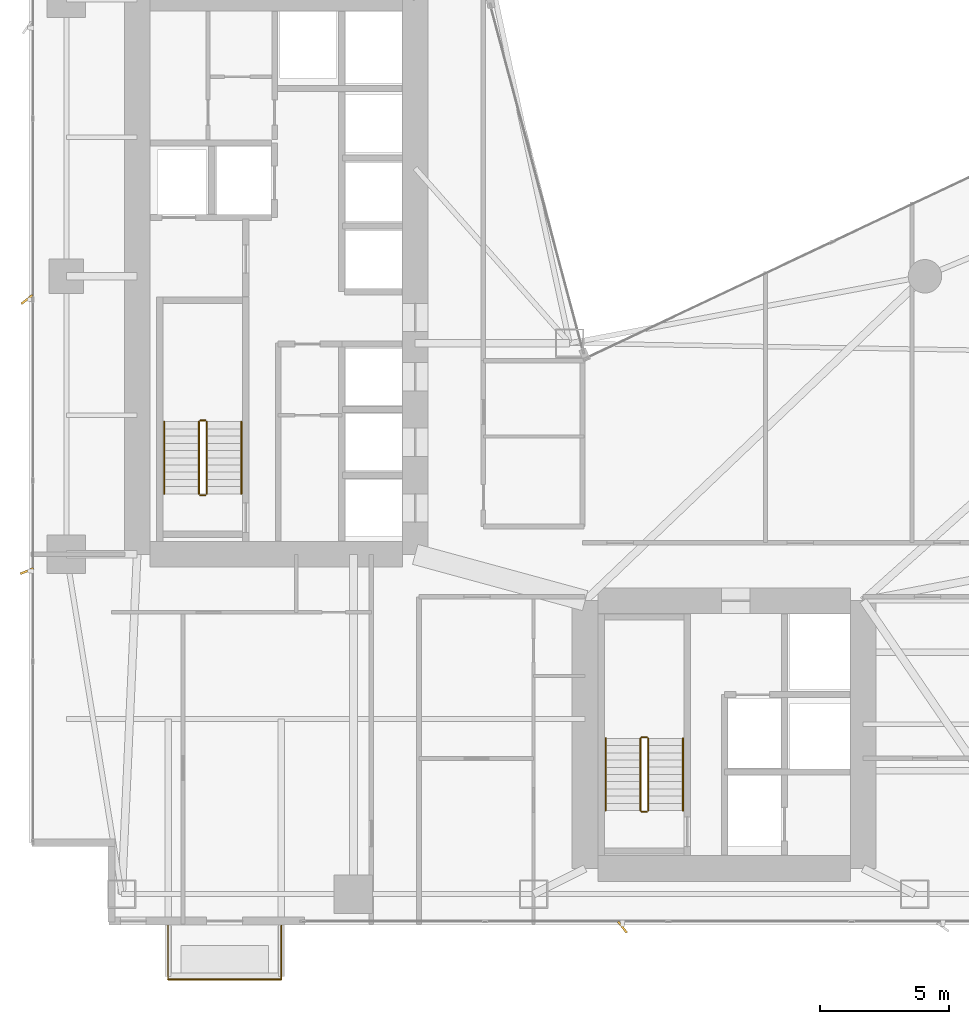
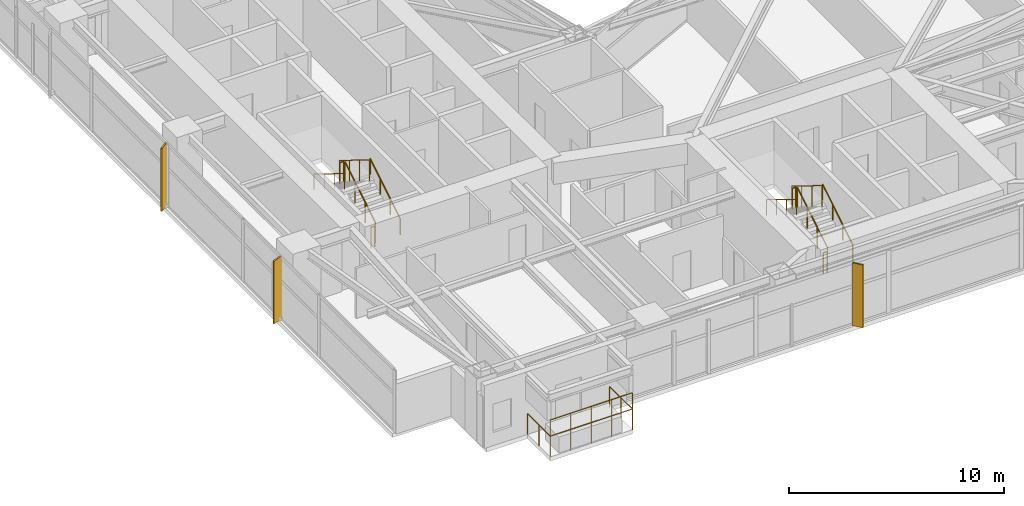
# One storey, part 28 of 30: 14 railings, 3 shading devices.
"""IFC4 building model written with IfcOpenShell, lengths in metres."""

from ifc_helpers import new_model, si_unit, direction, frame, origin, origin_2d, place, context, subcontext, project, spatial, rectangle, circle, extrude, material, type_object, element, save


model = new_model("IFC4")

# Units and contexts
model_context = context("Model", 3, precision=1e-05, world=origin(), true_north=direction((0.0, 1.0)))
body_context = subcontext(model_context, "Body", "Model", "MODEL_VIEW")
ifc_project = project(units=[si_unit("LENGTHUNIT", "METRE"), si_unit("AREAUNIT", "SQUARE_METRE"), si_unit("VOLUMEUNIT", "CUBIC_METRE"), si_unit("PLANEANGLEUNIT", "RADIAN"), si_unit("MASSUNIT", "GRAM", prefix="KILO")], contexts=[model_context])

# Site, building, storey
site_placement = place(None, origin())
site = spatial("IfcSite", under=ifc_project, at=site_placement, CompositionType="ELEMENT")
building_placement = place(site_placement, origin())
building = spatial("IfcBuilding", under=site, at=building_placement, Name="Calvorn Quay Hotel", CompositionType="ELEMENT")
storey_placement = place(building_placement, frame((0.0, 0.0, 50.800048828125)))
storey = spatial("IfcBuildingStorey", under=building, at=storey_placement, Name="L11", CompositionType="ELEMENT", Elevation=50.800048828125)

# Railings
ifc_material_1 = material(Name="Pale Anodised Aluminium and Laminated Glass", Category="aluminium")
railing_type_1 = type_object("IfcRailingType", Name="RLG-BALUSTRADE-1200", PredefinedType="BALUSTRADE", material=ifc_material_1)
railing_1_placement = place(storey_placement, frame((5.39990234375, 2.389892578125, 0.0)))
element("IfcRailing", 1, at=railing_1_placement, inside=storey, type_object=railing_type_1, Name="Tree Balcony Perimeter Balustrade L11-BALC-S", PredefinedType="BALUSTRADE", context=body_context, shape_type="SweptSolid", body=[
    extrude(circle(Radius=0.02392578125, at=origin_2d()), frame((0.0, 0.0, 1.17578125), z_axis=(0.0, -1.0, 0.0), x_axis=(1.0, 0.0, 0.0)), (0.0, 0.0, 1.0), 2.099853515625),
    extrude(circle(Radius=0.02392578125, at=origin_2d()), frame((0.0, -2.099853515625, 1.17578125), z_axis=(1.0, 0.0, 0.0), x_axis=(0.0, 1.0, 0.0)), (0.0, 0.0, 1.0), 4.400146484375),
    extrude(circle(Radius=0.02392578125, at=origin_2d()), frame((4.400146484375, -2.099853515625, 1.17578125), z_axis=(0.0, 1.0, 0.0), x_axis=(-1.0, 0.0, 0.0)), (0.0, 0.0, 1.0), 2.099853515625),
    extrude(circle(Radius=0.02099609375, at=origin_2d()), origin(), (0.0, 0.0, 1.0), 1.15185546875),
    extrude(circle(Radius=0.02099609375, at=origin_2d()), frame((0.0, -1.0498046875, 0.0)), (0.0, 0.0, 1.0), 1.15185546875),
    extrude(circle(Radius=0.02099609375, at=origin_2d()), frame((0.0, -2.099853515625, 0.0)), (0.0, 0.0, 1.0), 1.15185546875),
    extrude(circle(Radius=0.02099609375, at=origin_2d()), frame((1.10009765625, -2.099853515625, 0.0)), (0.0, 0.0, 1.0), 1.15185546875),
    extrude(circle(Radius=0.02099609375, at=origin_2d()), frame((2.2001953125, -2.099853515625, 0.0)), (0.0, 0.0, 1.0), 1.15185546875),
    extrude(circle(Radius=0.02099609375, at=origin_2d()), frame((3.300048828125, -2.099853515625, 0.0)), (0.0, 0.0, 1.0), 1.15185546875),
    extrude(circle(Radius=0.02099609375, at=origin_2d()), frame((4.400146484375, -2.099853515625, 0.0)), (0.0, 0.0, 1.0), 1.15185546875),
    extrude(circle(Radius=0.02099609375, at=origin_2d()), frame((4.400146484375, -1.0498046875, 0.0)), (0.0, 0.0, 1.0), 1.15185546875),
    extrude(circle(Radius=0.02099609375, at=origin_2d()), frame((4.400146484375, 0.0, 0.0)), (0.0, 0.0, 1.0), 1.15185546875),
])
railing_2_placement = place(storey_placement, frame((5.39990234375, 0.2900390625, 0.89990234375)))
element("IfcRailing", 2, at=railing_2_placement, inside=storey, type_object=railing_type_1, Name="Planter Kerb High Safety Screen L11-BALC-S", PredefinedType="BALUSTRADE", context=body_context, shape_type="SweptSolid", body=[
    extrude(circle(Radius=0.02392578125, at=origin_2d()), frame((0.0, 0.0, 1.19580078125), z_axis=(1.0, 0.0, 0.0), x_axis=(0.0, 1.0, 0.0)), (0.0, 0.0, 1.0), 4.400146484375),
    extrude(circle(Radius=0.02099609375, at=origin_2d()), origin(), (0.0, 0.0, 1.0), 1.171875),
    extrude(circle(Radius=0.02099609375, at=origin_2d()), frame((1.10009765625, 0.0, 0.0)), (0.0, 0.0, 1.0), 1.171875),
    extrude(circle(Radius=0.02099609375, at=origin_2d()), frame((2.2001953125, 0.0, 0.0)), (0.0, 0.0, 1.0), 1.171875),
    extrude(circle(Radius=0.02099609375, at=origin_2d()), frame((3.300048828125, 0.0, 0.0)), (0.0, 0.0, 1.0), 1.171875),
    extrude(circle(Radius=0.02099609375, at=origin_2d()), frame((4.400146484375, 0.0, 0.0)), (0.0, 0.0, 1.0), 1.171875),
])
ifc_material_2 = material(Name="Brushed Stainless Steel Handrail", Category="steel")
railing_type_2 = type_object("IfcRailingType", Name="RLG-HANDRAIL-900", PredefinedType="HANDRAIL", material=ifc_material_2)
railing_3_placement = place(storey_placement, frame((8.25, 19.14990234375, 0.172607421875)))
element("IfcRailing", 3, at=railing_3_placement, inside=storey, type_object=railing_type_2, Name="L11 ST-W stair handrail 1", PredefinedType="HANDRAIL", context=body_context, shape_type="SweptSolid", body=[
    extrude(circle(Radius=0.02392578125, at=origin_2d()), frame((0.0, 0.0, 0.8759765625), z_axis=(0.0, 0.851089632645, 0.525020415988), x_axis=(-1.0, 0.0, 0.0)), (0.0, 0.0, 1.0), 3.2900390625),
    extrude(circle(Radius=0.02099609375, at=origin_2d()), origin(), (0.0, 0.0, 1.0), 0.851806640625),
    extrude(circle(Radius=0.02099609375, at=origin_2d()), frame((0.0, 0.933349609375, 0.57568359375)), (0.0, 0.0, 1.0), 0.851806640625),
    extrude(circle(Radius=0.02099609375, at=origin_2d()), frame((0.0, 1.86669921875, 1.151611328125)), (0.0, 0.0, 1.0), 0.851806640625),
    extrude(circle(Radius=0.02099609375, at=origin_2d()), frame((0.0, 2.800048828125, 1.727294921875)), (0.0, 0.0, 1.0), 0.851806640625),
])
railing_4_placement = place(storey_placement, frame((5.25, 21.949951171875, 2.07275390625)))
element("IfcRailing", 4, at=railing_4_placement, inside=storey, type_object=railing_type_2, Name="L11 ST-W stair handrail 2", PredefinedType="HANDRAIL", context=body_context, shape_type="SweptSolid", body=[
    extrude(circle(Radius=0.02392578125, at=origin_2d()), frame((0.0, 0.0, 0.8759765625), z_axis=(0.0, -0.851089632645, 0.525020415988), x_axis=(1.0, 0.0, 0.0)), (0.0, 0.0, 1.0), 3.2900390625),
    extrude(circle(Radius=0.02099609375, at=origin_2d()), origin(), (0.0, 0.0, 1.0), 0.851806640625),
    extrude(circle(Radius=0.02099609375, at=origin_2d()), frame((0.0, -0.933349609375, 0.57568359375)), (0.0, 0.0, 1.0), 0.851806640625),
    extrude(circle(Radius=0.02099609375, at=origin_2d()), frame((0.0, -1.86669921875, 1.151611328125)), (0.0, 0.0, 1.0), 0.851806640625),
    extrude(circle(Radius=0.02099609375, at=origin_2d()), frame((0.0, -2.800048828125, 1.727294921875)), (0.0, 0.0, 1.0), 0.851806640625),
])
railing_5_placement = place(storey_placement, frame((25.39990234375, 6.85009765625, 0.172607421875)))
element("IfcRailing", 5, at=railing_5_placement, inside=storey, type_object=railing_type_2, Name="L11 ST-E stair handrail 1", PredefinedType="HANDRAIL", context=body_context, shape_type="SweptSolid", body=[
    extrude(circle(Radius=0.02392578125, at=origin_2d()), frame((0.0, 0.0, 0.8759765625), z_axis=(0.0, 0.851069175582, 0.525053576669), x_axis=(-1.0, 0.0, 0.0)), (0.0, 0.0, 1.0), 3.289794921875),
    extrude(circle(Radius=0.02099609375, at=origin_2d()), origin(), (0.0, 0.0, 1.0), 0.851806640625),
    extrude(circle(Radius=0.02099609375, at=origin_2d()), frame((0.0, 0.933349609375, 0.57568359375)), (0.0, 0.0, 1.0), 0.851806640625),
    extrude(circle(Radius=0.02099609375, at=origin_2d()), frame((0.0, 1.866455078125, 1.151611328125)), (0.0, 0.0, 1.0), 0.851806640625),
    extrude(circle(Radius=0.02099609375, at=origin_2d()), frame((0.0, 2.7998046875, 1.727294921875)), (0.0, 0.0, 1.0), 0.851806640625),
])
railing_6_placement = place(storey_placement, frame((22.39990234375, 9.64990234375, 2.07275390625)))
element("IfcRailing", 6, at=railing_6_placement, inside=storey, type_object=railing_type_2, Name="L11 ST-E stair handrail 2", PredefinedType="HANDRAIL", context=body_context, shape_type="SweptSolid", body=[
    extrude(circle(Radius=0.02392578125, at=origin_2d()), frame((0.0, 0.0, 0.8759765625), z_axis=(0.0, -0.851069175582, 0.525053576669), x_axis=(1.0, 0.0, 0.0)), (0.0, 0.0, 1.0), 3.289794921875),
    extrude(circle(Radius=0.02099609375, at=origin_2d()), origin(), (0.0, 0.0, 1.0), 0.851806640625),
    extrude(circle(Radius=0.02099609375, at=origin_2d()), frame((0.0, -0.933349609375, 0.57568359375)), (0.0, 0.0, 1.0), 0.851806640625),
    extrude(circle(Radius=0.02099609375, at=origin_2d()), frame((0.0, -1.866455078125, 1.151611328125)), (0.0, 0.0, 1.0), 0.851806640625),
    extrude(circle(Radius=0.02099609375, at=origin_2d()), frame((0.0, -2.7998046875, 1.727294921875)), (0.0, 0.0, 1.0), 0.851806640625),
])
ifc_material_3 = material(Name="Painted Galvanised Steel Balustrade", Category="steel")
railing_type_3 = type_object("IfcRailingType", Name="RLG-STAIR-GUARD-1120", PredefinedType="GUARDRAIL", material=ifc_material_3)
railing_7_placement = place(storey_placement, frame((6.89990234375, 19.14990234375, 0.172607421875)))
element("IfcRailing", 7, at=railing_7_placement, inside=storey, type_object=railing_type_3, Name="L11 ST-W stair guard 1", PredefinedType="GUARDRAIL", context=body_context, shape_type="SweptSolid", body=[
    extrude(circle(Radius=0.02392578125, at=origin_2d()), frame((0.0, 0.0, 1.17578125), z_axis=(0.0, 0.851089632645, 0.525020415988), x_axis=(-1.0, 0.0, 0.0)), (0.0, 0.0, 1.0), 3.2900390625),
    extrude(circle(Radius=0.02099609375, at=origin_2d()), origin(), (0.0, 0.0, 1.0), 1.15185546875),
    extrude(circle(Radius=0.02099609375, at=origin_2d()), frame((0.0, 0.933349609375, 0.57568359375)), (0.0, 0.0, 1.0), 1.15185546875),
    extrude(circle(Radius=0.02099609375, at=origin_2d()), frame((0.0, 1.86669921875, 1.151611328125)), (0.0, 0.0, 1.0), 1.15185546875),
    extrude(circle(Radius=0.02099609375, at=origin_2d()), frame((0.0, 2.800048828125, 1.727294921875)), (0.0, 0.0, 1.0), 1.15185546875),
])
railing_8_placement = place(storey_placement, frame((6.85009765625, 22.0, 1.89990234375)))
element("IfcRailing", 8, at=railing_8_placement, inside=storey, type_object=railing_type_3, Name="L11 ST-W stair guard 2", PredefinedType="GUARDRAIL", context=body_context, shape_type="SweptSolid", body=[
    extrude(circle(Radius=0.02392578125, at=origin_2d()), frame((0.0, 0.0, 1.17578125), z_axis=(-1.0, 0.0, 0.0), x_axis=(0.0, -1.0, 0.0)), (0.0, 0.0, 1.0), 0.2001953125),
    extrude(circle(Radius=0.02099609375, at=origin_2d()), origin(), (0.0, 0.0, 1.0), 1.15185546875),
    extrude(circle(Radius=0.02099609375, at=origin_2d()), frame((-0.2001953125, 0.0, 0.0)), (0.0, 0.0, 1.0), 1.15185546875),
])
railing_9_placement = place(storey_placement, frame((6.60009765625, 21.949951171875, 2.07275390625)))
element("IfcRailing", 9, at=railing_9_placement, inside=storey, type_object=railing_type_3, Name="L11 ST-W stair guard 3", PredefinedType="GUARDRAIL", context=body_context, shape_type="SweptSolid", body=[
    extrude(circle(Radius=0.02392578125, at=origin_2d()), frame((0.0, 0.0, 1.17578125), z_axis=(0.0, -0.851089632645, 0.525020415988), x_axis=(1.0, 0.0, 0.0)), (0.0, 0.0, 1.0), 3.2900390625),
    extrude(circle(Radius=0.02099609375, at=origin_2d()), origin(), (0.0, 0.0, 1.0), 1.15185546875),
    extrude(circle(Radius=0.02099609375, at=origin_2d()), frame((0.0, -0.933349609375, 0.57568359375)), (0.0, 0.0, 1.0), 1.15185546875),
    extrude(circle(Radius=0.02099609375, at=origin_2d()), frame((0.0, -1.86669921875, 1.151611328125)), (0.0, 0.0, 1.0), 1.15185546875),
    extrude(circle(Radius=0.02099609375, at=origin_2d()), frame((0.0, -2.800048828125, 1.727294921875)), (0.0, 0.0, 1.0), 1.15185546875),
])
railing_10_placement = place(storey_placement, frame((6.85009765625, 19.10009765625, 0.0)))
element("IfcRailing", 10, at=railing_10_placement, inside=storey, type_object=railing_type_3, Name="L11 ST-W stair guard 4", PredefinedType="GUARDRAIL", context=body_context, shape_type="SweptSolid", body=[
    extrude(circle(Radius=0.02392578125, at=origin_2d()), frame((0.0, 0.0, 1.17578125), z_axis=(-1.0, 0.0, 0.0), x_axis=(0.0, -1.0, 0.0)), (0.0, 0.0, 1.0), 0.2001953125),
    extrude(circle(Radius=0.02099609375, at=origin_2d()), origin(), (0.0, 0.0, 1.0), 1.15185546875),
    extrude(circle(Radius=0.02099609375, at=origin_2d()), frame((-0.2001953125, 0.0, 0.0)), (0.0, 0.0, 1.0), 1.15185546875),
])
railing_11_placement = place(storey_placement, frame((24.050048828125, 6.85009765625, 0.172607421875)))
element("IfcRailing", 11, at=railing_11_placement, inside=storey, type_object=railing_type_3, Name="L11 ST-E stair guard 1", PredefinedType="GUARDRAIL", context=body_context, shape_type="SweptSolid", body=[
    extrude(circle(Radius=0.02392578125, at=origin_2d()), frame((0.0, 0.0, 1.17578125), z_axis=(0.0, 0.851069175582, 0.525053576669), x_axis=(-1.0, 0.0, 0.0)), (0.0, 0.0, 1.0), 3.289794921875),
    extrude(circle(Radius=0.02099609375, at=origin_2d()), origin(), (0.0, 0.0, 1.0), 1.15185546875),
    extrude(circle(Radius=0.02099609375, at=origin_2d()), frame((0.0, 0.933349609375, 0.57568359375)), (0.0, 0.0, 1.0), 1.15185546875),
    extrude(circle(Radius=0.02099609375, at=origin_2d()), frame((0.0, 1.866455078125, 1.151611328125)), (0.0, 0.0, 1.0), 1.15185546875),
    extrude(circle(Radius=0.02099609375, at=origin_2d()), frame((0.0, 2.7998046875, 1.727294921875)), (0.0, 0.0, 1.0), 1.15185546875),
])
railing_12_placement = place(storey_placement, frame((24.0, 9.699951171875, 1.89990234375)))
element("IfcRailing", 12, at=railing_12_placement, inside=storey, type_object=railing_type_3, Name="L11 ST-E stair guard 2", PredefinedType="GUARDRAIL", context=body_context, shape_type="SweptSolid", body=[
    extrude(circle(Radius=0.02392578125, at=origin_2d()), frame((0.0, 0.0, 1.17578125), z_axis=(-1.0, 0.0, 0.0), x_axis=(0.0, -1.0, 0.0)), (0.0, 0.0, 1.0), 0.199951171875),
    extrude(circle(Radius=0.02099609375, at=origin_2d()), origin(), (0.0, 0.0, 1.0), 1.15185546875),
    extrude(circle(Radius=0.02099609375, at=origin_2d()), frame((-0.199951171875, 0.0, 0.0)), (0.0, 0.0, 1.0), 1.15185546875),
])
railing_13_placement = place(storey_placement, frame((23.75, 9.64990234375, 2.07275390625)))
element("IfcRailing", 13, at=railing_13_placement, inside=storey, type_object=railing_type_3, Name="L11 ST-E stair guard 3", PredefinedType="GUARDRAIL", context=body_context, shape_type="SweptSolid", body=[
    extrude(circle(Radius=0.02392578125, at=origin_2d()), frame((0.0, 0.0, 1.17578125), z_axis=(0.0, -0.851069175582, 0.525053576669), x_axis=(1.0, 0.0, 0.0)), (0.0, 0.0, 1.0), 3.289794921875),
    extrude(circle(Radius=0.02099609375, at=origin_2d()), origin(), (0.0, 0.0, 1.0), 1.15185546875),
    extrude(circle(Radius=0.02099609375, at=origin_2d()), frame((0.0, -0.933349609375, 0.57568359375)), (0.0, 0.0, 1.0), 1.15185546875),
    extrude(circle(Radius=0.02099609375, at=origin_2d()), frame((0.0, -1.866455078125, 1.151611328125)), (0.0, 0.0, 1.0), 1.15185546875),
    extrude(circle(Radius=0.02099609375, at=origin_2d()), frame((0.0, -2.7998046875, 1.727294921875)), (0.0, 0.0, 1.0), 1.15185546875),
])
railing_14_placement = place(storey_placement, frame((24.0, 6.800048828125, 0.0)))
element("IfcRailing", 14, at=railing_14_placement, inside=storey, type_object=railing_type_3, Name="L11 ST-E stair guard 4", PredefinedType="GUARDRAIL", context=body_context, shape_type="SweptSolid", body=[
    extrude(circle(Radius=0.02392578125, at=origin_2d()), frame((0.0, 0.0, 1.17578125), z_axis=(-1.0, 0.0, 0.0), x_axis=(0.0, -1.0, 0.0)), (0.0, 0.0, 1.0), 0.199951171875),
    extrude(circle(Radius=0.02099609375, at=origin_2d()), origin(), (0.0, 0.0, 1.0), 1.15185546875),
    extrude(circle(Radius=0.02099609375, at=origin_2d()), frame((-0.199951171875, 0.0, 0.0)), (0.0, 0.0, 1.0), 1.15185546875),
])

# Shading devices
ifc_material_4 = material(Name="Champagne Bronze Anodised Aluminium 6063-T6", Category="aluminium")
shading_device_type_1 = type_object("IfcShadingDeviceType", Name="SHD-FIN-A1", PredefinedType="USERDEFINED", material=ifc_material_4)
shading_device_placement = place(storey_placement, frame((-0.080078125, 16.14990234375, 0.0), z_axis=(0.0, 0.0, 1.0), x_axis=(0.927183854567, 0.374606593416, 0.0)))
element("IfcShadingDevice", 15, at=shading_device_placement, inside=storey, type_object=shading_device_type_1, Name="Diagonal Sun-Shading Fin L11-W01", ObjectType="FIN", PredefinedType="USERDEFINED", context=body_context, shape_type="SweptSolid", body=[
    extrude(rectangle(XDim=0.550048828125, YDim=0.080078125, at=origin_2d()), origin(), (0.0, 0.0, 1.0), 3.56005859375),
])
ifc_material_5 = material(Name="Champagne Bronze Anodised Aluminium 6063-T6", Category="aluminium")
shading_device_type_2 = type_object("IfcShadingDeviceType", Name="SHD-FIN-A2", PredefinedType="USERDEFINED", material=ifc_material_5)
for number, where, z_axis, x_axis, name in (
    (16, (-0.080078125, 26.699951171875, 0.0), (0.0, 0.0, 1.0), (0.788010753607, 0.615661475326, 0.0), "Diagonal Sun-Shading Fin L11-W02"),
    (17, (23.050048828125, 2.320068359375, 0.0), (0.0, 0.0, 1.0), (-0.615661475326, 0.788010753607, 0.0), "Diagonal Sun-Shading Fin L11-S01"),
):
    element("IfcShadingDevice", number, at=place(storey_placement, frame(where, z_axis=z_axis, x_axis=x_axis)), inside=storey, type_object=shading_device_type_2, Name=name, ObjectType="FIN", PredefinedType="USERDEFINED", context=body_context, shape_type="SweptSolid", body=[
        extrude(rectangle(XDim=0.550048828125, YDim=0.080078125, at=origin_2d()), origin(), (0.0, 0.0, 1.0), 3.56005859375),
    ])

save(model, "model.ifc")
